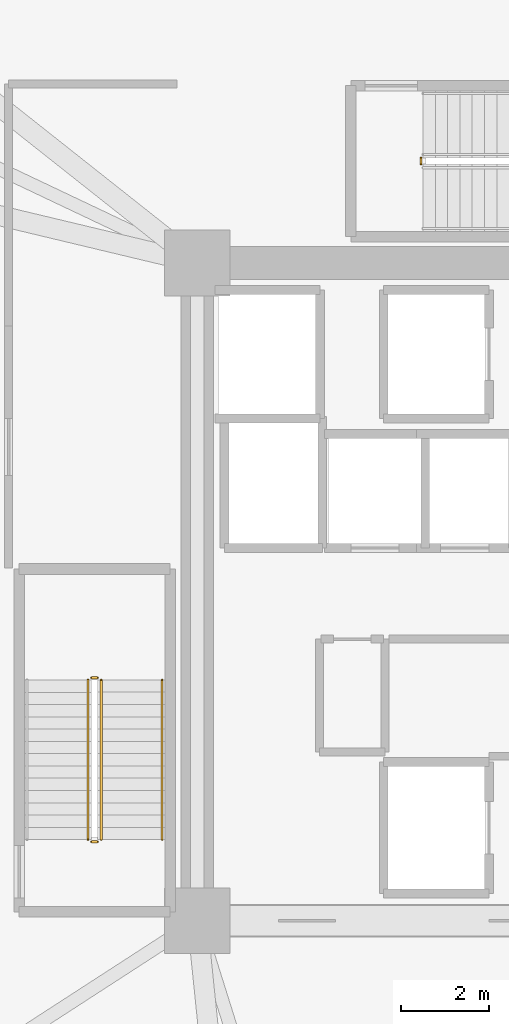
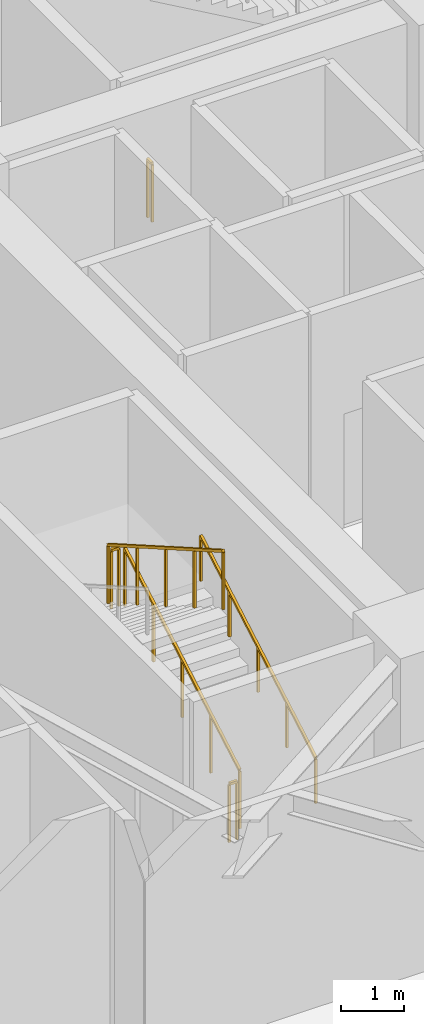
# One storey, part 20 of 23: 6 railings.
"""IFC4 building model written with IfcOpenShell, lengths in metres."""

from ifc_helpers import new_model, si_unit, direction, frame, origin, origin_2d, place, context, subcontext, project, spatial, rectangle, extrude, material, type_object, element, save


model = new_model("IFC4")

# Units and contexts
model_context = context("Model", 3, precision=1e-05, world=origin(), true_north=direction((0.0, 1.0)))
body_context = subcontext(model_context, "Body", "Model", "MODEL_VIEW")
ifc_project = project(units=[si_unit("LENGTHUNIT", "METRE"), si_unit("AREAUNIT", "SQUARE_METRE"), si_unit("VOLUMEUNIT", "CUBIC_METRE"), si_unit("PLANEANGLEUNIT", "RADIAN"), si_unit("MASSUNIT", "GRAM", prefix="KILO")], contexts=[model_context])

# Site, building, storey
site_placement = place(None, origin())
site = spatial("IfcSite", under=ifc_project, at=site_placement, CompositionType="ELEMENT")
building_placement = place(site_placement, origin())
building = spatial("IfcBuilding", under=site, at=building_placement, Name="Liaohun Quay Tower", CompositionType="ELEMENT")
storey_placement = place(building_placement, frame((0.0, 0.0, 139.5)))
storey = spatial("IfcBuildingStorey", under=building, at=storey_placement, Name="L36", CompositionType="ELEMENT", Elevation=139.5)

# Railings
ifc_material_1 = material(Name="Painted tubular steel", Category="steel")
railing_type_1 = type_object("IfcRailingType", Name="RLG-GUARD-STR", PredefinedType="GUARDRAIL", material=ifc_material_1)
railing_1_placement = place(storey_placement, frame((48.81005859375, 48.35009765625, 0.16064453125)))
element("IfcRailing", 1, at=railing_1_placement, inside=storey, type_object=railing_type_1, Name="L36 ST-1 stair guard 1", PredefinedType="GUARDRAIL", context=body_context, shape_type="SweptSolid", body=[
    extrude(rectangle(XDim=0.048095703125, YDim=0.048095703125, at=origin_2d()), frame((0.0, 0.0, 1.1259765625), z_axis=(0.0, 0.8672749571, 0.497829437445), x_axis=(-1.0, 0.0, 0.0)), (0.0, 0.0, 1.0), 4.197021484375),
    extrude(rectangle(XDim=0.0419921875, YDim=0.0419921875, at=origin_2d()), origin(), (0.0, 0.0, 1.0), 1.101806640625),
    extrude(rectangle(XDim=0.0419921875, YDim=0.0419921875, at=origin_2d()), frame((0.0, 0.909912109375, 0.5224609375)), (0.0, 0.0, 1.0), 1.101806640625),
    extrude(rectangle(XDim=0.0419921875, YDim=0.0419921875, at=origin_2d()), frame((0.0, 1.81982421875, 1.044677734375)), (0.0, 0.0, 1.0), 1.101806640625),
    extrude(rectangle(XDim=0.0419921875, YDim=0.0419921875, at=origin_2d()), frame((0.0, 2.72998046875, 1.56689453125)), (0.0, 0.0, 1.0), 1.101806640625),
    extrude(rectangle(XDim=0.0419921875, YDim=0.0419921875, at=origin_2d()), frame((0.0, 3.639892578125, 2.08935546875)), (0.0, 0.0, 1.0), 1.101806640625),
])
railing_2_placement = place(storey_placement, frame((48.72998046875, 52.0400390625, 2.25)))
element("IfcRailing", 2, at=railing_2_placement, inside=storey, type_object=railing_type_1, Name="L36 ST-1 stair guard 2", PredefinedType="GUARDRAIL", context=body_context, shape_type="SweptSolid", body=[
    extrude(rectangle(XDim=0.048095703125, YDim=0.048095703125, at=origin_2d()), frame((0.0, 0.0, 1.1259765625), z_axis=(-1.0, 0.0, 0.0), x_axis=(0.0, -1.0, 0.0)), (0.0, 0.0, 1.0), 0.139892578125),
    extrude(rectangle(XDim=0.0419921875, YDim=0.0419921875, at=origin_2d()), origin(), (0.0, 0.0, 1.0), 1.101806640625),
    extrude(rectangle(XDim=0.0419921875, YDim=0.0419921875, at=origin_2d()), frame((-0.139892578125, 0.0, 0.0)), (0.0, 0.0, 1.0), 1.101806640625),
])
railing_3_placement = place(storey_placement, frame((48.510009765625, 51.989990234375, 2.41064453125)))
element("IfcRailing", 3, at=railing_3_placement, inside=storey, type_object=railing_type_1, Name="L36 ST-1 stair guard 3", PredefinedType="GUARDRAIL", context=body_context, shape_type="SweptSolid", body=[
    extrude(rectangle(XDim=0.048095703125, YDim=0.048095703125, at=origin_2d()), frame((0.0, 0.0, 1.1259765625), z_axis=(0.0, -0.8672749571, 0.497829437445), x_axis=(1.0, 0.0, 0.0)), (0.0, 0.0, 1.0), 4.197021484375),
    extrude(rectangle(XDim=0.0419921875, YDim=0.0419921875, at=origin_2d()), origin(), (0.0, 0.0, 1.0), 1.101806640625),
    extrude(rectangle(XDim=0.0419921875, YDim=0.0419921875, at=origin_2d()), frame((0.0, -0.909912109375, 0.5224609375)), (0.0, 0.0, 1.0), 1.101806640625),
    extrude(rectangle(XDim=0.0419921875, YDim=0.0419921875, at=origin_2d()), frame((0.0, -1.81982421875, 1.044677734375)), (0.0, 0.0, 1.0), 1.101806640625),
    extrude(rectangle(XDim=0.0419921875, YDim=0.0419921875, at=origin_2d()), frame((0.0, -2.72998046875, 1.56689453125)), (0.0, 0.0, 1.0), 1.101806640625),
    extrude(rectangle(XDim=0.0419921875, YDim=0.0419921875, at=origin_2d()), frame((0.0, -3.639892578125, 2.08935546875)), (0.0, 0.0, 1.0), 1.101806640625),
])
railing_4_placement = place(storey_placement, frame((48.72998046875, 48.300048828125, 0.0)))
element("IfcRailing", 4, at=railing_4_placement, inside=storey, type_object=railing_type_1, Name="L36 ST-1 stair guard 4", PredefinedType="GUARDRAIL", context=body_context, shape_type="SweptSolid", body=[
    extrude(rectangle(XDim=0.048095703125, YDim=0.048095703125, at=origin_2d()), frame((0.0, 0.0, 1.1259765625), z_axis=(-1.0, 0.0, 0.0), x_axis=(0.0, -1.0, 0.0)), (0.0, 0.0, 1.0), 0.139892578125),
    extrude(rectangle(XDim=0.0419921875, YDim=0.0419921875, at=origin_2d()), origin(), (0.0, 0.0, 1.0), 1.101806640625),
    extrude(rectangle(XDim=0.0419921875, YDim=0.0419921875, at=origin_2d()), frame((-0.139892578125, 0.0, 0.0)), (0.0, 0.0, 1.0), 1.101806640625),
])
railing_5_placement = place(storey_placement, frame((56.10009765625, 63.75, 0.0)))
element("IfcRailing", 5, at=railing_5_placement, inside=storey, type_object=railing_type_1, Name="L36 ST-3 stair guard 4", PredefinedType="GUARDRAIL", context=body_context, shape_type="SweptSolid", body=[
    extrude(rectangle(XDim=0.048095703125, YDim=0.048095703125, at=origin_2d()), frame((0.0, 0.0, 1.1259765625), z_axis=(0.0, 1.0, 0.0), x_axis=(-1.0, 0.0, 0.0)), (0.0, 0.0, 1.0), 0.139892578125),
    extrude(rectangle(XDim=0.0419921875, YDim=0.0419921875, at=origin_2d()), origin(), (0.0, 0.0, 1.0), 1.101806640625),
    extrude(rectangle(XDim=0.0419921875, YDim=0.0419921875, at=origin_2d()), frame((0.0, 0.139892578125, 0.0)), (0.0, 0.0, 1.0), 1.101806640625),
])
ifc_material_2 = material(Name="Brushed stainless steel", Category="steel")
railing_type_2 = type_object("IfcRailingType", Name="RLG-HND-STR", PredefinedType="HANDRAIL", material=ifc_material_2)
railing_6_placement = place(storey_placement, frame((50.199951171875, 48.35009765625, 0.16064453125)))
element("IfcRailing", 6, at=railing_6_placement, inside=storey, type_object=railing_type_2, Name="L36 ST-1 stair handrail 1", PredefinedType="HANDRAIL", context=body_context, shape_type="SweptSolid", body=[
    extrude(rectangle(XDim=0.048095703125, YDim=0.048095703125, at=origin_2d()), frame((0.0, 0.0, 0.8759765625), z_axis=(0.0, 0.8672749571, 0.497829437445), x_axis=(-1.0, 0.0, 0.0)), (0.0, 0.0, 1.0), 4.197021484375),
    extrude(rectangle(XDim=0.0419921875, YDim=0.0419921875, at=origin_2d()), origin(), (0.0, 0.0, 1.0), 0.851806640625),
    extrude(rectangle(XDim=0.0419921875, YDim=0.0419921875, at=origin_2d()), frame((0.0, 0.909912109375, 0.5224609375)), (0.0, 0.0, 1.0), 0.851806640625),
    extrude(rectangle(XDim=0.0419921875, YDim=0.0419921875, at=origin_2d()), frame((0.0, 1.81982421875, 1.044677734375)), (0.0, 0.0, 1.0), 0.851806640625),
    extrude(rectangle(XDim=0.0419921875, YDim=0.0419921875, at=origin_2d()), frame((0.0, 2.72998046875, 1.56689453125)), (0.0, 0.0, 1.0), 0.851806640625),
    extrude(rectangle(XDim=0.0419921875, YDim=0.0419921875, at=origin_2d()), frame((0.0, 3.639892578125, 2.08935546875)), (0.0, 0.0, 1.0), 0.851806640625),
])

save(model, "model.ifc")
